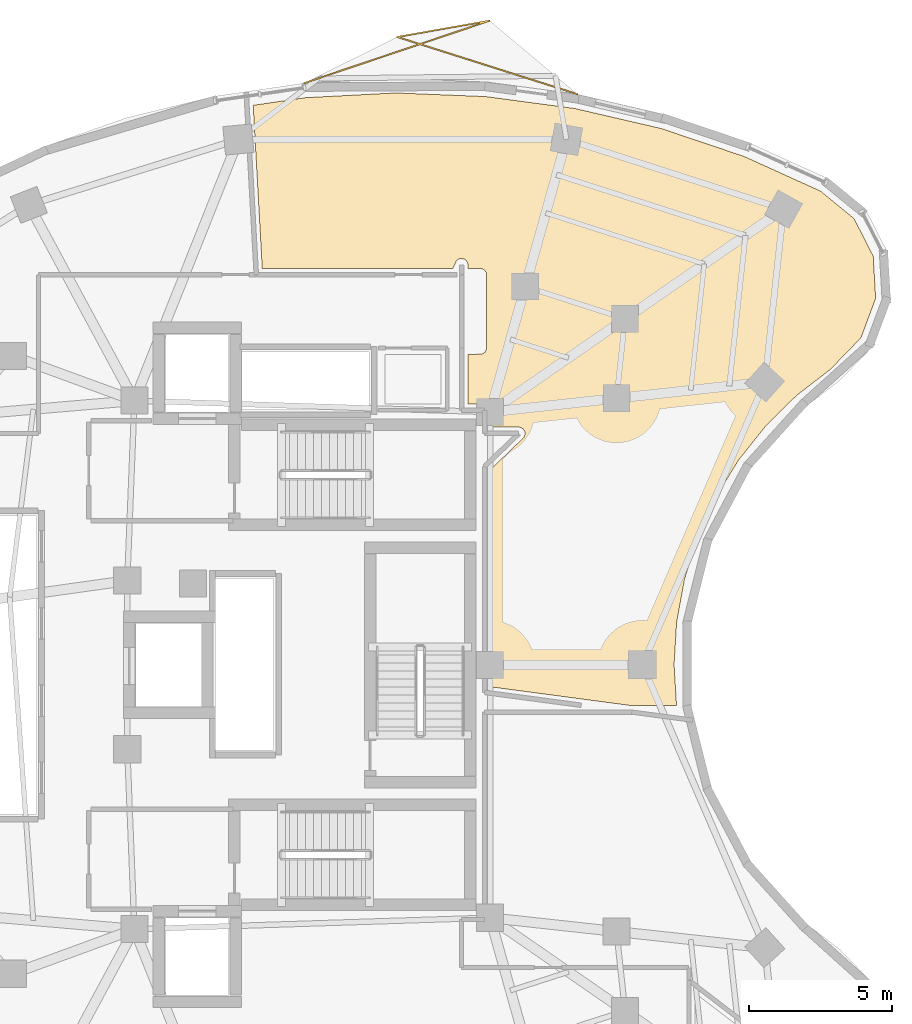
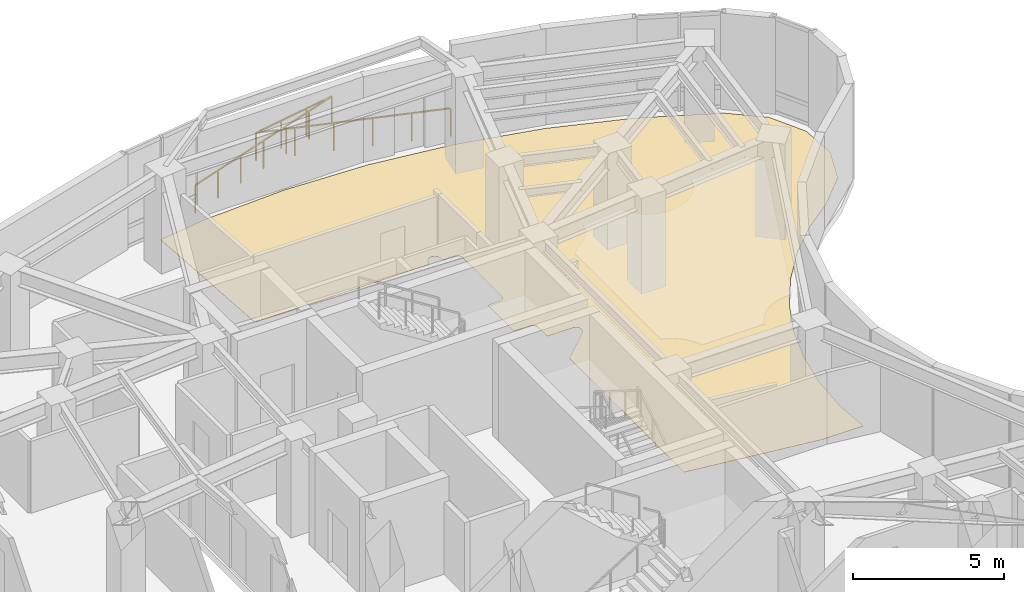
# One storey, part 12 of 12: 1 covering, 1 railing.
"""IFC4 building model written with IfcOpenShell, lengths in metres."""

from ifc_helpers import new_model, si_unit, direction, frame, origin, origin_2d, place, context, subcontext, project, spatial, polyline, rectangle, outline, extrude, material, layer, layer_set, type_object, element, save


model = new_model("IFC4")

# Units and contexts
model_context = context("Model", 3, precision=1e-05, world=origin(), true_north=direction((0.0, 1.0)))
body_context = subcontext(model_context, "Body", "Model", "MODEL_VIEW")
ifc_project = project(units=[si_unit("LENGTHUNIT", "METRE"), si_unit("AREAUNIT", "SQUARE_METRE"), si_unit("VOLUMEUNIT", "CUBIC_METRE"), si_unit("PLANEANGLEUNIT", "RADIAN"), si_unit("MASSUNIT", "GRAM", prefix="KILO")], contexts=[model_context])

# Site, building, storey
site_placement = place(None, origin())
site = spatial("IfcSite", under=ifc_project, at=site_placement, CompositionType="ELEMENT")
building_placement = place(site_placement, origin())
building = spatial("IfcBuilding", under=site, at=building_placement, Name="Korentha Bioscience Tower", CompositionType="ELEMENT")
storey_placement = place(building_placement, frame((0.0, 0.0, 179.39990234375)))
storey = spatial("IfcBuildingStorey", under=building, at=storey_placement, Name="L41", CompositionType="ELEMENT", Elevation=179.39990234375)

# Railing
ifc_material_1 = material(Name="Laminated Tempered Safety Glass", Category="glass")
railing_type = type_object("IfcRailingType", Name="Laminated Glass Balcony Guardrail 1150", PredefinedType="BALUSTRADE", material=ifc_material_1)
railing_placement = place(storey_placement, frame((40.608154296875, 46.978515625, 0.0)))
element("IfcRailing", 1, at=railing_placement, inside=storey, type_object=railing_type, Name="L41 Balcony Guardrail 01", PredefinedType="BALUSTRADE", context=body_context, shape_type="SweptSolid", body=[
    extrude(rectangle(XDim=0.048095703125, YDim=0.048095703125, at=origin_2d()), frame((0.0, 0.0, 1.1259765625), z_axis=(-0.953172040784, 0.302428604249, 0.0), x_axis=(-0.302428604249, -0.953172040784, 0.0)), (0.0, 0.0, 1.0), 6.618896484375),
    extrude(rectangle(XDim=0.048095703125, YDim=0.048095703125, at=origin_2d()), frame((-6.308837890625, 2.001708984375, 1.1259765625), z_axis=(0.984798526591, 0.173700495176, 0.0), x_axis=(-0.173700495176, 0.984798526591, 0.0)), (0.0, 0.0, 1.0), 3.283203125),
    extrude(rectangle(XDim=0.048095703125, YDim=0.048095703125, at=origin_2d()), frame((-3.075439453125, 2.572021484375, 1.1259765625), z_axis=(-0.947727750915, -0.319080099891, 0.0), x_axis=(0.319080099891, -0.947727750915, 0.0)), (0.0, 0.0, 1.0), 6.8525390625),
    extrude(rectangle(XDim=0.0419921875, YDim=0.0419921875, at=origin_2d()), origin(), (0.0, 0.0, 1.0), 1.101806640625),
    extrude(rectangle(XDim=0.0419921875, YDim=0.0419921875, at=origin_2d()), frame((-1.26171875, 0.400390625, 0.0)), (0.0, 0.0, 1.0), 1.101806640625),
    extrude(rectangle(XDim=0.0419921875, YDim=0.0419921875, at=origin_2d()), frame((-2.5234375, 0.80078125, 0.0)), (0.0, 0.0, 1.0), 1.101806640625),
    extrude(rectangle(XDim=0.0419921875, YDim=0.0419921875, at=origin_2d()), frame((-3.785400390625, 1.200927734375, 0.0)), (0.0, 0.0, 1.0), 1.101806640625),
    extrude(rectangle(XDim=0.0419921875, YDim=0.0419921875, at=origin_2d()), frame((-5.047119140625, 1.601318359375, 0.0)), (0.0, 0.0, 1.0), 1.101806640625),
    extrude(rectangle(XDim=0.0419921875, YDim=0.0419921875, at=origin_2d()), frame((-6.308837890625, 2.001708984375, 0.0)), (0.0, 0.0, 1.0), 1.101806640625),
    extrude(rectangle(XDim=0.0419921875, YDim=0.0419921875, at=origin_2d()), frame((-5.23095703125, 2.19189453125, 0.0)), (0.0, 0.0, 1.0), 1.101806640625),
    extrude(rectangle(XDim=0.0419921875, YDim=0.0419921875, at=origin_2d()), frame((-4.1533203125, 2.3818359375, 0.0)), (0.0, 0.0, 1.0), 1.101806640625),
    extrude(rectangle(XDim=0.0419921875, YDim=0.0419921875, at=origin_2d()), frame((-3.075439453125, 2.572021484375, 0.0)), (0.0, 0.0, 1.0), 1.101806640625),
    extrude(rectangle(XDim=0.0419921875, YDim=0.0419921875, at=origin_2d()), frame((-4.15771484375, 2.20751953125, 0.0)), (0.0, 0.0, 1.0), 1.101806640625),
    extrude(rectangle(XDim=0.0419921875, YDim=0.0419921875, at=origin_2d()), frame((-5.240234375, 1.84326171875, 0.0)), (0.0, 0.0, 1.0), 1.101806640625),
    extrude(rectangle(XDim=0.0419921875, YDim=0.0419921875, at=origin_2d()), frame((-6.32275390625, 1.478759765625, 0.0)), (0.0, 0.0, 1.0), 1.101806640625),
    extrude(rectangle(XDim=0.0419921875, YDim=0.0419921875, at=origin_2d()), frame((-7.405029296875, 1.1142578125, 0.0)), (0.0, 0.0, 1.0), 1.101806640625),
    extrude(rectangle(XDim=0.0419921875, YDim=0.0419921875, at=origin_2d()), frame((-8.4873046875, 0.75, 0.0)), (0.0, 0.0, 1.0), 1.101806640625),
    extrude(rectangle(XDim=0.0419921875, YDim=0.0419921875, at=origin_2d()), frame((-9.56982421875, 0.385498046875, 0.0)), (0.0, 0.0, 1.0), 1.101806640625),
])

# Covering
ifc_material_2 = material(Name="Chemical-Resistant Epoxy Resin", Category="polymer")
ifc_layer = layer(ifc_material_2, 0.011962890625, Name="Chemical-Resistant Epoxy Resin")
ifc_layer_set = layer_set([ifc_layer], Name="Chemical-Resistant Epoxy Resin (FL-EPX)")
covering_type = type_object("IfcCoveringType", Name="Seamless Epoxy Laboratory Flooring 12", PredefinedType="FLOORING", material=ifc_layer_set)
covering_placement = place(storey_placement, origin())
element("IfcCovering", 2, at=covering_placement, inside=storey, type_object=covering_type, Name="L41 Glassware Autoclave Wash Alcove 05 Floor Finish", PredefinedType="FLOORING", context=body_context, shape_type="SweptSolid", body=[
    extrude(outline(polyline([(31.088623046875, 46.85595703125), (34.24365234375, 47.02099609375), (36.5263671875, 46.928955078125), (37.40185546875, 46.893798828125), (40.516357421875, 46.476318359375), (43.541748046875, 45.775146484375), (46.43359375, 44.801025390625), (49.11376953125, 43.5849609375), (50.289306640625, 42.6240234375), (50.96044921875, 41.307861328125), (51.04541015625, 39.832763671875), (50.530029296875, 38.447998046875), (49.452392578125, 37.33740234375), (48.28173828125, 36.435791015625), (47.217529296875, 35.390380859375), (46.2431640625, 34.16552734375), (45.443359375, 32.85498046875), (44.814697265625, 31.469482421875), (44.35400390625, 29.997802734375), (44.079345703125, 28.494384765625), (43.989501953125, 27.017578125), (44.0751953125, 25.572021484375), (42.479736328125, 25.577880859375), (37.580078125, 26.23046875), (37.580078125, 33.8564453125), (38.712158203125, 34.944091796875), (38.759033203125, 35.018798828125), (38.773193359375, 35.10595703125), (38.760986328125, 35.17138671875), (38.716552734375, 35.2470703125), (38.665283203125, 35.289794921875), (38.582763671875, 35.319580078125), (37.580078125, 35.322021484375), (37.57958984375, 35.911865234375), (37.55810546875, 35.997802734375), (37.52001953125, 36.0546875), (37.44873046875, 36.107666015625), (37.38330078125, 36.127685546875), (36.77197265625, 36.1298828125), (36.77197265625, 37.8701171875), (37.25634765625, 37.876953125), (37.37060546875, 37.94580078125), (37.427490234375, 38.066650390625), (37.429931640625, 40.64990234375), (37.416748046875, 40.72705078125), (37.35400390625, 40.82080078125), (37.25537109375, 40.873291015625), (36.77197265625, 40.8798828125), (36.769775390625, 41.038818359375), (36.740966796875, 41.12060546875), (36.665771484375, 41.197265625), (36.5419921875, 41.23046875), (36.45751953125, 41.21142578125), (36.372802734375, 41.146240234375), (36.243408203125, 40.8798828125), (29.57373046875, 40.8798828125), (29.25732421875, 46.587890625), (31.088623046875, 46.85595703125)])), origin(), (0.0, 0.0, 1.0), 0.01220703125),
])

save(model, "model.ifc")
